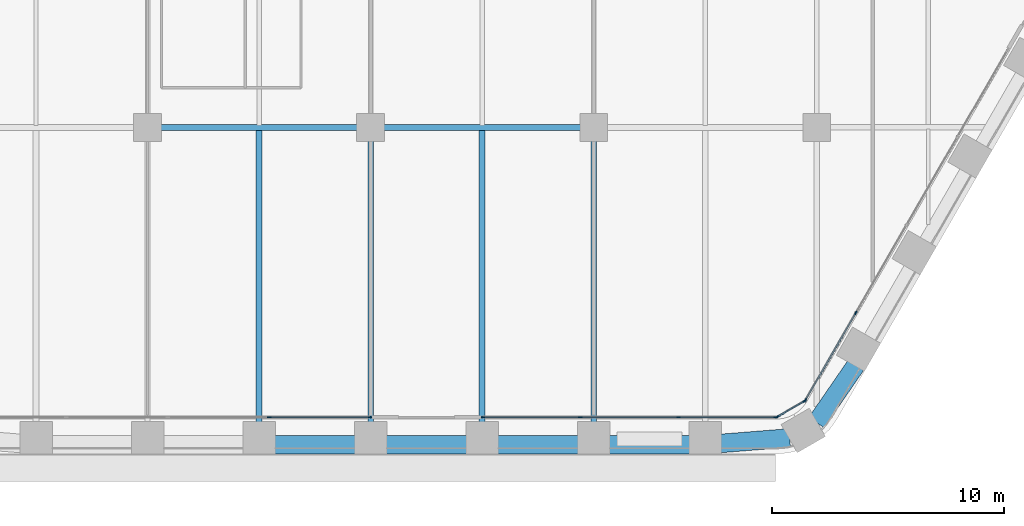
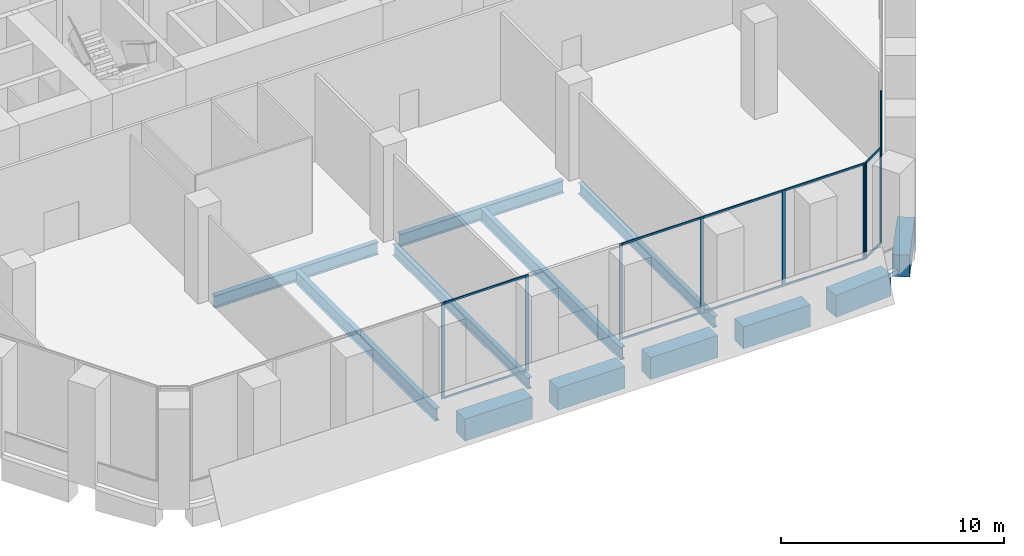
# One storey, part 4 of 30: 22 members, 12 beams, 4 elements without a shape of their own.
"""IFC4 building model written with IfcOpenShell, lengths in metres."""

from ifc_helpers import new_model, si_unit, direction, frame, origin, origin_2d, place, context, subcontext, project, spatial, rectangle, i_section, extrude, material, material_profile, profile_set, type_object, element, aggregate, save


model = new_model("IFC4")

# Units and contexts
model_context = context("Model", 3, precision=1e-05, world=origin(), true_north=direction((0.0, 1.0)))
body_context = subcontext(model_context, "Body", "Model", "MODEL_VIEW")
ifc_project = project(units=[si_unit("LENGTHUNIT", "METRE"), si_unit("AREAUNIT", "SQUARE_METRE"), si_unit("VOLUMEUNIT", "CUBIC_METRE"), si_unit("PLANEANGLEUNIT", "RADIAN"), si_unit("MASSUNIT", "GRAM", prefix="KILO")], contexts=[model_context])

# Site, building, storey
site_placement = place(None, origin())
site = spatial("IfcSite", under=ifc_project, at=site_placement, CompositionType="ELEMENT")
building_placement = place(site_placement, origin())
building = spatial("IfcBuilding", under=site, at=building_placement, Name="Kolab Exchange Tower", CompositionType="ELEMENT")
storey_placement = place(building_placement, frame((0.0, 0.0, 38.89990234375)))
storey = spatial("IfcBuildingStorey", under=building, at=storey_placement, Name="L07", CompositionType="ELEMENT", Elevation=38.89990234375)

# Beams
ifc_material_1 = material(Name="Steel S355", Category="steel")
ifc_material_profile_1 = material_profile(ifc_material_1, i_section(OverallWidth=0.22802734375, OverallDepth=0.60791015625, WebThickness=0.01123046875, FlangeThickness=0.017333984375, at=origin_2d()), Name="W610X113")
ifc_profile_set_1 = profile_set([ifc_material_profile_1], Name="Steel S355")
beam_type_1 = type_object("IfcBeamType", Name="FLOOR BEAM W610X113", PredefinedType="BEAM", material=ifc_profile_set_1)
for number, where, z_axis, x_axis, name in (
    (1, (0.0, -31.8955078125, -0.553955078125), (0.0, 1.0, 0.0), (-1.0, 0.0, 0.0), "beam/L07/fr/030"),
    (2, (9.60009765625, -31.8955078125, -0.553955078125), (0.0, 1.0, 0.0), (-1.0, 0.0, 0.0), "beam/L07/fr/038"),
):
    element("IfcBeam", number, at=place(storey_placement, frame(where, z_axis=z_axis, x_axis=x_axis)), inside=storey, type_object=beam_type_1, Name=name, PredefinedType="BEAM", context=body_context, shape_type="SweptSolid", body=[
        extrude(i_section(OverallWidth=0.22802734375, OverallDepth=0.60791015625, WebThickness=0.01123046875, FlangeThickness=0.017333984375, at=origin_2d()), origin(), (0.0, 0.0, 1.0), 12.135498046875),
    ])
ifc_material_profile_2 = material_profile(ifc_material_1, i_section(OverallWidth=0.25390625, OverallDepth=0.68408203125, WebThickness=0.012451171875, FlangeThickness=0.018798828125, at=origin_2d()), Name="W690X140")
ifc_profile_set_2 = profile_set([ifc_material_profile_2], Name="Steel S355")
beam_type_2 = type_object("IfcBeamType", Name="FLOOR BEAM W690X140", PredefinedType="BEAM", material=ifc_profile_set_2)
for number, where, z_axis, x_axis, name in (
    (3, (-4.800048828125, -31.8955078125, -0.591796875), (0.0, 1.0, 0.0), (-1.0, 0.0, 0.0), "beam/L07/fr/026"),
    (4, (4.800048828125, -31.8955078125, -0.591796875), (0.0, 1.0, 0.0), (-1.0, 0.0, 0.0), "beam/L07/fr/034"),
):
    element("IfcBeam", number, at=place(storey_placement, frame(where, z_axis=z_axis, x_axis=x_axis)), inside=storey, type_object=beam_type_2, Name=name, PredefinedType="BEAM", context=body_context, shape_type="SweptSolid", body=[
        extrude(i_section(OverallWidth=0.25390625, OverallDepth=0.68408203125, WebThickness=0.012451171875, FlangeThickness=0.018798828125, at=origin_2d()), origin(), (0.0, 0.0, 1.0), 12.6083984375),
    ])
ifc_material_profile_3 = material_profile(ifc_material_1, i_section(OverallWidth=0.25390625, OverallDepth=0.68408203125, WebThickness=0.012451171875, FlangeThickness=0.018798828125, at=origin_2d()), Name="W690X140")
ifc_profile_set_3 = profile_set([ifc_material_profile_3], Name="Steel S355")
beam_type_3 = type_object("IfcBeamType", Name="FLOOR GIRDER W690X140", PredefinedType="BEAM", material=ifc_profile_set_3)
for number, where, z_axis, x_axis, name in (
    (5, (-9.0400390625, -19.199951171875, -0.591796875), (1.0, 0.0, 0.0), (0.0, 1.0, 0.0), "beam/L07/gd/011"),
    (6, (0.56005859375, -19.199951171875, -0.591796875), (1.0, 0.0, 0.0), (0.0, 1.0, 0.0), "beam/L07/gd/013"),
):
    element("IfcBeam", number, at=place(storey_placement, frame(where, z_axis=z_axis, x_axis=x_axis)), inside=storey, type_object=beam_type_3, Name=name, PredefinedType="BEAM", context=body_context, shape_type="SweptSolid", body=[
        extrude(i_section(OverallWidth=0.25390625, OverallDepth=0.68408203125, WebThickness=0.012451171875, FlangeThickness=0.018798828125, at=origin_2d()), origin(), (0.0, 0.0, 1.0), 8.47998046875),
    ])
ifc_material_2 = material(Name="Concrete C80/95", Category="concrete")
ifc_material_profile_4 = material_profile(ifc_material_2, rectangle(XDim=0.800048828125, YDim=1.199951171875, at=origin_2d()), Name="RC800X1200")
ifc_profile_set_4 = profile_set([ifc_material_profile_4], Name="Concrete C80/95")
beam_type_4 = type_object("IfcBeamType", Name="SPANDREL BEAM 800X1200 C80/95", PredefinedType="BEAM", material=ifc_profile_set_4)
beam_1_placement = place(storey_placement, frame((20.8779296875, -29.44384765625, -0.849853515625), z_axis=(-0.567247290755, -0.823547516013, 0.0), x_axis=(0.823547516013, -0.567247290755, 0.0)))
element("IfcBeam", 7, at=beam_1_placement, inside=storey, type_object=beam_type_4, Name="beam/L07/sp/F3-08", PredefinedType="BEAM", context=body_context, shape_type="SweptSolid", body=[
    extrude(rectangle(XDim=0.800048828125, YDim=1.199951171875, at=origin_2d()), origin(), (0.0, 0.0, 1.0), 2.984375),
])
beam_2_placement = place(storey_placement, frame((18.03515625, -32.5654296875, -0.849853515625), z_axis=(-0.996833978278, -0.07951112973, 0.0), x_axis=(0.07951112973, -0.996833978278, 0.0)))
element("IfcBeam", 8, at=beam_2_placement, inside=storey, type_object=beam_type_4, Name="beam/L07/sp/F4-01", PredefinedType="BEAM", context=body_context, shape_type="SweptSolid", body=[
    extrude(rectangle(XDim=0.800048828125, YDim=1.199951171875, at=origin_2d()), origin(), (0.0, 0.0, 1.0), 2.984619140625),
])
for number, where, z_axis, x_axis, name in (
    (9, (13.739990234375, -32.85546875, -0.849853515625), (-1.0, 0.0, 0.0), (0.0, -1.0, 0.0), "beam/L07/sp/F4-02"),
    (10, (8.93994140625, -32.85546875, -0.849853515625), (-1.0, 0.0, 0.0), (0.0, -1.0, 0.0), "beam/L07/sp/F4-03"),
    (11, (4.139892578125, -32.85546875, -0.849853515625), (-1.0, 0.0, 0.0), (0.0, -1.0, 0.0), "beam/L07/sp/F4-04"),
    (12, (-0.659912109375, -32.85546875, -0.849853515625), (-1.0, 0.0, 0.0), (0.0, -1.0, 0.0), "beam/L07/sp/F4-05"),
):
    element("IfcBeam", number, at=place(storey_placement, frame(where, z_axis=z_axis, x_axis=x_axis)), inside=storey, type_object=beam_type_4, Name=name, PredefinedType="BEAM", context=body_context, shape_type="SweptSolid", body=[
        extrude(rectangle(XDim=0.800048828125, YDim=1.199951171875, at=origin_2d()), origin(), (0.0, 0.0, 1.0), 3.47998046875),
    ])

# Curtain wall, members
ifc_material_3 = material(Name="Aluminium EN AW-6063 T6", Category="aluminium")
curtain_wall_type = type_object("IfcCurtainWallType", Name="UNITISED LOW ZONE CURTAIN WALL", PredefinedType="NOTDEFINED", material=ifc_material_3)
curtain_wall_1_placement = place(storey_placement, origin())
curtain_wall_1 = element("IfcCurtainWall", 13, at=curtain_wall_1_placement, inside=storey, type_object=curtain_wall_type, Name="cw/L07/F3-2", PredefinedType="NOTDEFINED")
ifc_material_profile_5 = material_profile(ifc_material_3, rectangle(XDim=0.06005859375, YDim=0.159912109375, at=origin_2d()), Name="RECT 60X160")
ifc_profile_set_5 = profile_set([ifc_material_profile_5], Name="Aluminium EN AW-6063 T6")
member_type_1 = type_object("IfcMemberType", Name="UNITISED LOW ZONE MULLION 60 X 160", PredefinedType="MULLION", material=ifc_profile_set_5)
member_1_placement = place(storey_placement, frame((20.881103515625, -27.183349609375, 0.0), z_axis=(0.0, 0.0, 1.0), x_axis=(0.866025397318, -0.5000000112, 0.0)))
member_1 = element("IfcMember", 14, at=member_1_placement, type_object=member_type_1, Name="CW1 mullion 4", PredefinedType="MULLION", context=body_context, shape_type="SweptSolid", body=[
    extrude(rectangle(XDim=0.06005859375, YDim=0.159912109375, at=origin_2d()), origin(), (0.0, 0.0, 1.0), 5.25),
])
member_2_placement = place(storey_placement, frame((18.712646484375, -30.939453125, 0.0), z_axis=(0.0, 0.0, 1.0), x_axis=(0.866025397318, -0.5000000112, 0.0)))
member_2 = element("IfcMember", 15, at=member_2_placement, type_object=member_type_1, Name="CW1 mullion 5", PredefinedType="MULLION", context=body_context, shape_type="SweptSolid", body=[
    extrude(rectangle(XDim=0.06005859375, YDim=0.159912109375, at=origin_2d()), origin(), (0.0, 0.0, 1.0), 5.25),
])

curtain_wall_2_placement = place(storey_placement, origin())
curtain_wall_2 = element("IfcCurtainWall", 16, at=curtain_wall_2_placement, inside=storey, type_object=curtain_wall_type, Name="cw/L07/F4-1", PredefinedType="NOTDEFINED")
member_3_placement = place(storey_placement, frame((17.43798828125, -31.67529296875, 0.0), z_axis=(0.0, 0.0, 1.0), x_axis=(0.0, -1.0, 0.0)))
member_3 = element("IfcMember", 17, at=member_3_placement, type_object=member_type_1, Name="CW1 mullion 1", PredefinedType="MULLION", context=body_context, shape_type="SweptSolid", body=[
    extrude(rectangle(XDim=0.06005859375, YDim=0.159912109375, at=origin_2d()), origin(), (0.0, 0.0, 1.0), 5.25),
])
member_4_placement = place(storey_placement, frame((13.245361328125, -31.67529296875, 0.0), z_axis=(0.0, 0.0, 1.0), x_axis=(0.0, -1.0, 0.0)))
member_4 = element("IfcMember", 18, at=member_4_placement, type_object=member_type_1, Name="CW1 mullion 2", PredefinedType="MULLION", context=body_context, shape_type="SweptSolid", body=[
    extrude(rectangle(XDim=0.06005859375, YDim=0.159912109375, at=origin_2d()), origin(), (0.0, 0.0, 1.0), 5.25),
])
member_5_placement = place(storey_placement, frame((9.022705078125, -31.67529296875, 0.0), z_axis=(0.0, 0.0, 1.0), x_axis=(0.0, -1.0, 0.0)))
member_5 = element("IfcMember", 19, at=member_5_placement, type_object=member_type_1, Name="CW1 mullion 3", PredefinedType="MULLION", context=body_context, shape_type="SweptSolid", body=[
    extrude(rectangle(XDim=0.06005859375, YDim=0.159912109375, at=origin_2d()), origin(), (0.0, 0.0, 1.0), 5.25),
])
member_6_placement = place(storey_placement, frame((4.830078125, -31.67529296875, 0.0), z_axis=(0.0, 0.0, 1.0), x_axis=(0.0, -1.0, 0.0)))
member_6 = element("IfcMember", 20, at=member_6_placement, type_object=member_type_1, Name="CW1 mullion 4", PredefinedType="MULLION", context=body_context, shape_type="SweptSolid", body=[
    extrude(rectangle(XDim=0.06005859375, YDim=0.159912109375, at=origin_2d()), origin(), (0.0, 0.0, 1.0), 5.25),
])

curtain_wall_3_placement = place(storey_placement, origin())
curtain_wall_3 = element("IfcCurtainWall", 21, at=curtain_wall_3_placement, inside=storey, type_object=curtain_wall_type, Name="cw/L07/F4-2", PredefinedType="NOTDEFINED")
member_7_placement = place(storey_placement, frame((-0.030029296875, -31.67529296875, 0.0), z_axis=(0.0, 0.0, 1.0), x_axis=(0.0, -1.0, 0.0)))
member_7 = element("IfcMember", 22, at=member_7_placement, type_object=member_type_1, Name="CW1 mullion 1", PredefinedType="MULLION", context=body_context, shape_type="SweptSolid", body=[
    extrude(rectangle(XDim=0.06005859375, YDim=0.159912109375, at=origin_2d()), origin(), (0.0, 0.0, 1.0), 5.25),
])
member_8_placement = place(storey_placement, frame((-4.366943359375, -31.67529296875, 0.0), z_axis=(0.0, 0.0, 1.0), x_axis=(0.0, -1.0, 0.0)))
member_8 = element("IfcMember", 23, at=member_8_placement, type_object=member_type_1, Name="CW1 mullion 2", PredefinedType="MULLION", context=body_context, shape_type="SweptSolid", body=[
    extrude(rectangle(XDim=0.06005859375, YDim=0.159912109375, at=origin_2d()), origin(), (0.0, 0.0, 1.0), 5.25),
])

curtain_wall_4_placement = place(storey_placement, origin())
curtain_wall_4 = element("IfcCurtainWall", 24, at=curtain_wall_4_placement, inside=storey, type_object=curtain_wall_type, Name="cw/L07/F3F4-corner", PredefinedType="NOTDEFINED")
member_9_placement = place(storey_placement, frame((18.671630859375, -30.98046875, 0.0), z_axis=(0.0, 0.0, 1.0), x_axis=(0.50000002237, -0.866025390869, 0.0)))
member_9 = element("IfcMember", 25, at=member_9_placement, type_object=member_type_1, Name="CW1 mullion 1", PredefinedType="MULLION", context=body_context, shape_type="SweptSolid", body=[
    extrude(rectangle(XDim=0.06005859375, YDim=0.159912109375, at=origin_2d()), origin(), (0.0, 0.0, 1.0), 5.25),
])
member_10_placement = place(storey_placement, frame((17.493896484375, -31.660400390625, 0.0), z_axis=(0.0, 0.0, 1.0), x_axis=(0.50000002237, -0.866025390869, 0.0)))
member_10 = element("IfcMember", 26, at=member_10_placement, type_object=member_type_1, Name="CW1 mullion 2", PredefinedType="MULLION", context=body_context, shape_type="SweptSolid", body=[
    extrude(rectangle(XDim=0.06005859375, YDim=0.159912109375, at=origin_2d()), origin(), (0.0, 0.0, 1.0), 5.25),
])

# Member
ifc_material_profile_6 = material_profile(ifc_material_3, rectangle(XDim=0.06005859375, YDim=0.10009765625, at=origin_2d()), Name="RECT 60X100")
ifc_profile_set_6 = profile_set([ifc_material_profile_6], Name="Aluminium EN AW-6063 T6")
member_type_2 = type_object("IfcMemberType", Name="UNITISED LOW ZONE TRANSOM 60 X 100", PredefinedType="USERDEFINED", material=ifc_profile_set_6)
member_11_placement = place(storey_placement, frame((20.8662109375, -27.20947265625, 0.030029296875), z_axis=(-0.500000816281, -0.866024932504, 0.0), x_axis=(0.866024932504, -0.500000816281, 0.0)))
member_11 = element("IfcMember", 27, at=member_11_placement, type_object=member_type_2, Name="CW1 transom 4.1", ObjectType="TRANSOM", PredefinedType="USERDEFINED", context=body_context, shape_type="SweptSolid", body=[
    extrude(rectangle(XDim=0.06005859375, YDim=0.10009765625, at=origin_2d()), origin(), (0.0, 0.0, 1.0), 4.27685546875),
])

member_12_placement = place(storey_placement, frame((20.8662109375, -27.20947265625, 5.22021484375), z_axis=(-0.500000816281, -0.866024932504, 0.0), x_axis=(0.866024932504, -0.500000816281, 0.0)))
member_12 = element("IfcMember", 28, at=member_12_placement, type_object=member_type_2, Name="CW1 transom 4.2", ObjectType="TRANSOM", PredefinedType="USERDEFINED", context=body_context, shape_type="SweptSolid", body=[
    extrude(rectangle(XDim=0.06005859375, YDim=0.10009765625, at=origin_2d()), origin(), (0.0, 0.0, 1.0), 4.27685546875),
])

aggregate(curtain_wall_1, [member_1, member_2, member_11, member_12])

member_13_placement = place(storey_placement, frame((17.407958984375, -31.67529296875, 0.030029296875), z_axis=(-1.0, 0.0, 0.0), x_axis=(0.0, -1.0, 0.0)))
member_13 = element("IfcMember", 29, at=member_13_placement, type_object=member_type_2, Name="CW1 transom 1.1", ObjectType="TRANSOM", PredefinedType="USERDEFINED", context=body_context, shape_type="SweptSolid", body=[
    extrude(rectangle(XDim=0.06005859375, YDim=0.10009765625, at=origin_2d()), origin(), (0.0, 0.0, 1.0), 4.132568359375),
])

member_14_placement = place(storey_placement, frame((17.407958984375, -31.67529296875, 5.22021484375), z_axis=(-1.0, 0.0, 0.0), x_axis=(0.0, -1.0, 0.0)))
member_14 = element("IfcMember", 30, at=member_14_placement, type_object=member_type_2, Name="CW1 transom 1.2", ObjectType="TRANSOM", PredefinedType="USERDEFINED", context=body_context, shape_type="SweptSolid", body=[
    extrude(rectangle(XDim=0.06005859375, YDim=0.10009765625, at=origin_2d()), origin(), (0.0, 0.0, 1.0), 4.132568359375),
])

member_15_placement = place(storey_placement, frame((13.21533203125, -31.67529296875, 0.030029296875), z_axis=(-1.0, 0.0, 0.0), x_axis=(0.0, -1.0, 0.0)))
member_15 = element("IfcMember", 31, at=member_15_placement, type_object=member_type_2, Name="CW1 transom 2.1", ObjectType="TRANSOM", PredefinedType="USERDEFINED", context=body_context, shape_type="SweptSolid", body=[
    extrude(rectangle(XDim=0.06005859375, YDim=0.10009765625, at=origin_2d()), origin(), (0.0, 0.0, 1.0), 4.16259765625),
])

member_16_placement = place(storey_placement, frame((13.21533203125, -31.67529296875, 5.22021484375), z_axis=(-1.0, 0.0, 0.0), x_axis=(0.0, -1.0, 0.0)))
member_16 = element("IfcMember", 32, at=member_16_placement, type_object=member_type_2, Name="CW1 transom 2.2", ObjectType="TRANSOM", PredefinedType="USERDEFINED", context=body_context, shape_type="SweptSolid", body=[
    extrude(rectangle(XDim=0.06005859375, YDim=0.10009765625, at=origin_2d()), origin(), (0.0, 0.0, 1.0), 4.16259765625),
])

member_17_placement = place(storey_placement, frame((8.99267578125, -31.67529296875, 0.030029296875), z_axis=(-1.0, 0.0, 0.0), x_axis=(0.0, -1.0, 0.0)))
member_17 = element("IfcMember", 33, at=member_17_placement, type_object=member_type_2, Name="CW1 transom 3.1", ObjectType="TRANSOM", PredefinedType="USERDEFINED", context=body_context, shape_type="SweptSolid", body=[
    extrude(rectangle(XDim=0.06005859375, YDim=0.10009765625, at=origin_2d()), origin(), (0.0, 0.0, 1.0), 4.132568359375),
])

member_18_placement = place(storey_placement, frame((8.99267578125, -31.67529296875, 5.22021484375), z_axis=(-1.0, 0.0, 0.0), x_axis=(0.0, -1.0, 0.0)))
member_18 = element("IfcMember", 34, at=member_18_placement, type_object=member_type_2, Name="CW1 transom 3.2", ObjectType="TRANSOM", PredefinedType="USERDEFINED", context=body_context, shape_type="SweptSolid", body=[
    extrude(rectangle(XDim=0.06005859375, YDim=0.10009765625, at=origin_2d()), origin(), (0.0, 0.0, 1.0), 4.132568359375),
])

aggregate(curtain_wall_2, [member_3, member_4, member_5, member_6, member_13, member_14, member_15, member_16, member_17, member_18])

member_19_placement = place(storey_placement, frame((-0.06005859375, -31.67529296875, 0.030029296875), z_axis=(-1.0, 0.0, 0.0), x_axis=(0.0, -1.0, 0.0)))
member_19 = element("IfcMember", 35, at=member_19_placement, type_object=member_type_2, Name="CW1 transom 1.1", ObjectType="TRANSOM", PredefinedType="USERDEFINED", context=body_context, shape_type="SweptSolid", body=[
    extrude(rectangle(XDim=0.06005859375, YDim=0.10009765625, at=origin_2d()), origin(), (0.0, 0.0, 1.0), 4.27685546875),
])

member_20_placement = place(storey_placement, frame((-0.06005859375, -31.67529296875, 5.22021484375), z_axis=(-1.0, 0.0, 0.0), x_axis=(0.0, -1.0, 0.0)))
member_20 = element("IfcMember", 36, at=member_20_placement, type_object=member_type_2, Name="CW1 transom 1.2", ObjectType="TRANSOM", PredefinedType="USERDEFINED", context=body_context, shape_type="SweptSolid", body=[
    extrude(rectangle(XDim=0.06005859375, YDim=0.10009765625, at=origin_2d()), origin(), (0.0, 0.0, 1.0), 4.27685546875),
])

aggregate(curtain_wall_3, [member_7, member_8, member_19, member_20])

member_21_placement = place(storey_placement, frame((18.645751953125, -30.995361328125, 0.030029296875), z_axis=(-0.86603858612, -0.49997716683, 0.0), x_axis=(0.49997716683, -0.86603858612, 0.0)))
member_21 = element("IfcMember", 37, at=member_21_placement, type_object=member_type_2, Name="CW1 transom 1.1", ObjectType="TRANSOM", PredefinedType="USERDEFINED", context=body_context, shape_type="SweptSolid", body=[
    extrude(rectangle(XDim=0.06005859375, YDim=0.10009765625, at=origin_2d()), origin(), (0.0, 0.0, 1.0), 1.2998046875),
])

member_22_placement = place(storey_placement, frame((18.645751953125, -30.995361328125, 5.22021484375), z_axis=(-0.86603858612, -0.49997716683, 0.0), x_axis=(0.49997716683, -0.86603858612, 0.0)))
member_22 = element("IfcMember", 38, at=member_22_placement, type_object=member_type_2, Name="CW1 transom 1.2", ObjectType="TRANSOM", PredefinedType="USERDEFINED", context=body_context, shape_type="SweptSolid", body=[
    extrude(rectangle(XDim=0.06005859375, YDim=0.10009765625, at=origin_2d()), origin(), (0.0, 0.0, 1.0), 1.2998046875),
])

aggregate(curtain_wall_4, [member_9, member_10, member_21, member_22])

save(model, "model.ifc")
